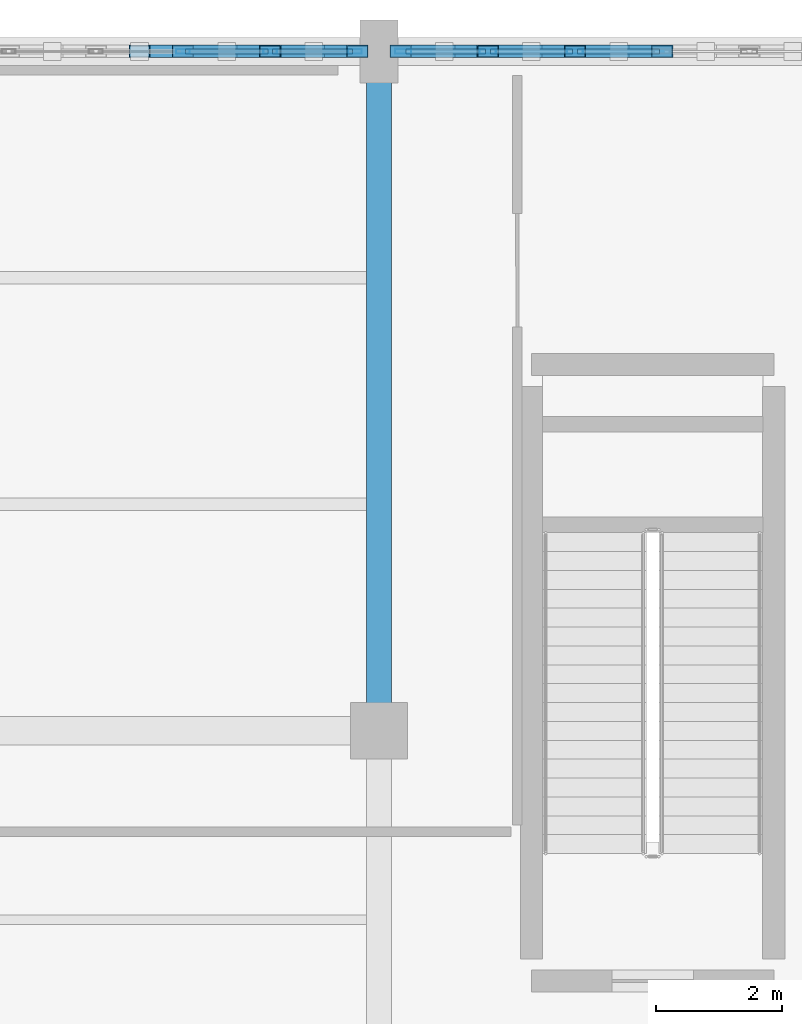
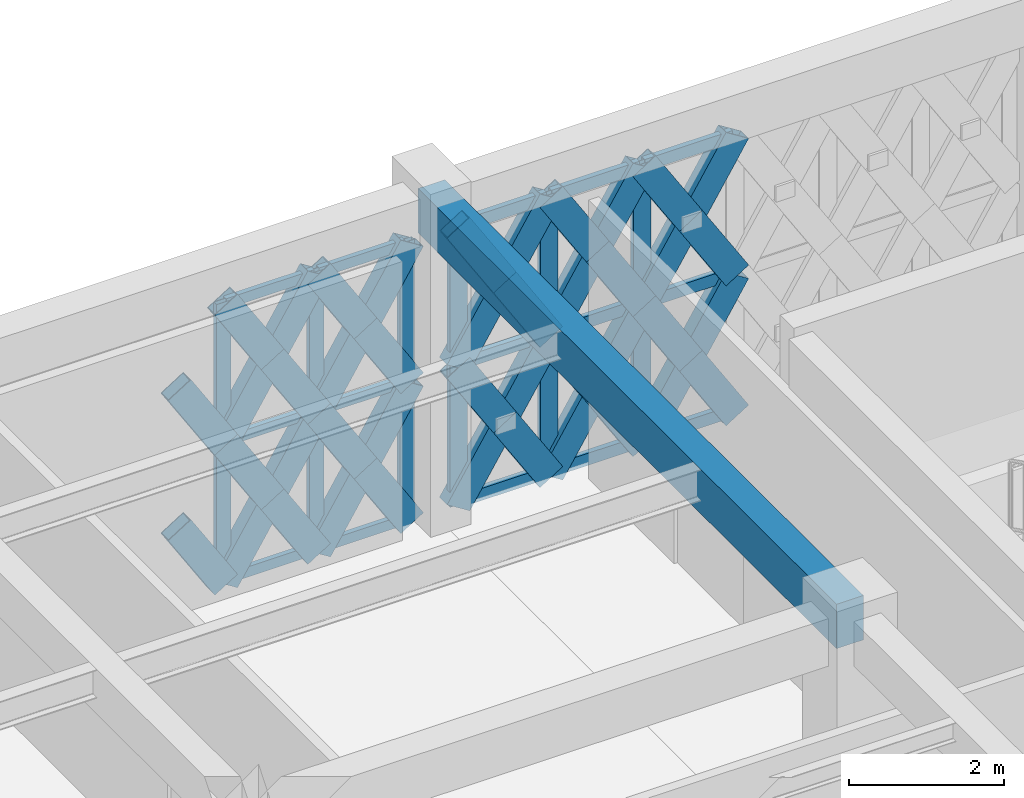
# One storey, part 90 of 155: 53 members, 1 beam, 2 elements without a shape of their own.
"""IFC4 building model written with IfcOpenShell, lengths in metres."""

from ifc_helpers import new_model, si_unit, direction, frame, origin, origin_2d, place, context, subcontext, project, spatial, rectangle, hollow_rectangle, extrude, material, material_profile, profile_set, type_object, element, aggregate, save


model = new_model("IFC4")

# Units and contexts
model_context = context("Model", 3, precision=1e-05, world=origin(), true_north=direction((0.0, 1.0)))
body_context = subcontext(model_context, "Body", "Model", "MODEL_VIEW")
ifc_project = project(units=[si_unit("LENGTHUNIT", "METRE"), si_unit("AREAUNIT", "SQUARE_METRE"), si_unit("VOLUMEUNIT", "CUBIC_METRE"), si_unit("PLANEANGLEUNIT", "RADIAN"), si_unit("MASSUNIT", "GRAM", prefix="KILO")], contexts=[model_context])

# Site, building, storey
site_placement = place(None, origin())
site = spatial("IfcSite", under=ifc_project, at=site_placement, CompositionType="ELEMENT")
building_placement = place(site_placement, origin())
building = spatial("IfcBuilding", under=site, at=building_placement, Name="Haizhuo Lancet Aquarium", CompositionType="ELEMENT")
storey_placement = place(building_placement, frame((0.0, 0.0, 10.800048828125)))
storey = spatial("IfcBuildingStorey", under=building, at=storey_placement, Name="L02", CompositionType="ELEMENT", Elevation=10.800048828125)

# Beam
ifc_material_1 = material(Name="Concrete C40/50", Category="concrete")
ifc_material_profile_1 = material_profile(ifc_material_1, rectangle(XDim=0.39990234375, YDim=0.699951171875, at=origin_2d()), Name="RC-BM 400x700")
ifc_profile_set_1 = profile_set([ifc_material_profile_1], Name="Concrete C40/50")
beam_type = type_object("IfcBeamType", Name="BM-RC-400x700", PredefinedType="BEAM", material=ifc_profile_set_1)
beam_placement = place(storey_placement, frame((9.0, 45.0, 4.81005859375), z_axis=(0.0, 1.0, 0.0), x_axis=(-1.0, 0.0, 0.0)))
element("IfcBeam", 1, at=beam_placement, inside=storey, type_object=beam_type, Name="L02 V5 primary girder BM-L02-V5-026", PredefinedType="BEAM", context=body_context, shape_type="SweptSolid", body=[
    extrude(rectangle(XDim=0.39990234375, YDim=0.699951171875, at=origin_2d()), origin(), (0.0, 0.0, 1.0), 10.800048828125),
])

# Curtain wall, members
ifc_material_2 = material(Name="Aluminium 6063-T6", Category="aluminium")
curtain_wall_type = type_object("IfcCurtainWallType", Name="CWD-8310x4410", PredefinedType="NOTDEFINED", material=ifc_material_2)
curtain_wall_1_placement = place(storey_placement, origin())
curtain_wall_1 = element("IfcCurtainWall", 2, at=curtain_wall_1_placement, inside=storey, type_object=curtain_wall_type, Name="L02 curtain wall CW-V5-L02-149", PredefinedType="NOTDEFINED")
ifc_material_profile_2 = material_profile(ifc_material_2, hollow_rectangle(XDim=0.074951171875, YDim=0.219970703125, WallThickness=0.0048828125, at=origin_2d()), Name="ALU-M 75x220x5")
ifc_profile_set_2 = profile_set([ifc_material_profile_2], Name="Aluminium 6063-T6")
member_type_1 = type_object("IfcMemberType", Name="CW-MUL-2", PredefinedType="MULLION", material=ifc_profile_set_2)
member_1_placement = place(storey_placement, frame((5.885009765625, 55.800048828125, 0.0), z_axis=(0.0, 0.0, 1.0), x_axis=(0.0, 1.0, 0.0)))
member_1 = element("IfcMember", 3, at=member_1_placement, type_object=member_type_1, Name="CWD-83x44 mullion 5", PredefinedType="MULLION", context=body_context, shape_type="SweptSolid", body=[
    extrude(hollow_rectangle(XDim=0.074951171875, YDim=0.219970703125, WallThickness=0.0048828125, at=origin_2d()), origin(), (0.0, 0.0, 1.0), 4.409912109375),
])
member_2_placement = place(storey_placement, frame((7.27001953125, 55.800048828125, 0.0), z_axis=(0.0, 0.0, 1.0), x_axis=(0.0, 1.0, 0.0)))
member_2 = element("IfcMember", 4, at=member_2_placement, type_object=member_type_1, Name="CWD-83x44 mullion 6", PredefinedType="MULLION", context=body_context, shape_type="SweptSolid", body=[
    extrude(hollow_rectangle(XDim=0.074951171875, YDim=0.219970703125, WallThickness=0.0048828125, at=origin_2d()), origin(), (0.0, 0.0, 1.0), 4.409912109375),
])
member_3_placement = place(storey_placement, frame((8.616943359375, 55.800048828125, 0.0), z_axis=(0.0, 0.0, 1.0), x_axis=(0.0, 1.0, 0.0)))
member_3 = element("IfcMember", 5, at=member_3_placement, type_object=member_type_1, Name="CWD-83x44 mullion 7", PredefinedType="MULLION", context=body_context, shape_type="SweptSolid", body=[
    extrude(hollow_rectangle(XDim=0.074951171875, YDim=0.219970703125, WallThickness=0.0048828125, at=origin_2d()), origin(), (0.0, 0.0, 1.0), 4.409912109375),
])

curtain_wall_2_placement = place(storey_placement, origin())
curtain_wall_2 = element("IfcCurtainWall", 6, at=curtain_wall_2_placement, inside=storey, type_object=curtain_wall_type, Name="L02 curtain wall CW-V5-L02-150", PredefinedType="NOTDEFINED")
ifc_material_profile_3 = material_profile(ifc_material_2, hollow_rectangle(XDim=0.080078125, YDim=0.260009765625, WallThickness=0.0048828125, at=origin_2d()), Name="ALU-M 80x260x5")
ifc_profile_set_3 = profile_set([ifc_material_profile_3], Name="Aluminium 6063-T6")
member_type_2 = type_object("IfcMemberType", Name="CW-MUL-3", PredefinedType="MULLION", material=ifc_profile_set_3)
member_4_placement = place(storey_placement, frame((9.385009765625, 55.800048828125, 0.0), z_axis=(0.0, 0.0, 1.0), x_axis=(0.0, 1.0, 0.0)))
member_4 = element("IfcMember", 7, at=member_4_placement, type_object=member_type_2, Name="CWD-83x44 mullion 1", PredefinedType="MULLION", context=body_context, shape_type="SweptSolid", body=[
    extrude(hollow_rectangle(XDim=0.080078125, YDim=0.260009765625, WallThickness=0.0048828125, at=origin_2d()), origin(), (0.0, 0.0, 1.0), 4.409912109375),
])
member_5_placement = place(storey_placement, frame((10.72998046875, 55.800048828125, 0.0), z_axis=(0.0, 0.0, 1.0), x_axis=(0.0, 1.0, 0.0)))
member_5 = element("IfcMember", 8, at=member_5_placement, type_object=member_type_2, Name="CWD-83x44 mullion 2", PredefinedType="MULLION", context=body_context, shape_type="SweptSolid", body=[
    extrude(hollow_rectangle(XDim=0.080078125, YDim=0.260009765625, WallThickness=0.0048828125, at=origin_2d()), origin(), (0.0, 0.0, 1.0), 4.409912109375),
])
member_6_placement = place(storey_placement, frame((12.114990234375, 55.800048828125, 0.0), z_axis=(0.0, 0.0, 1.0), x_axis=(0.0, 1.0, 0.0)))
member_6 = element("IfcMember", 9, at=member_6_placement, type_object=member_type_2, Name="CWD-83x44 mullion 3", PredefinedType="MULLION", context=body_context, shape_type="SweptSolid", body=[
    extrude(hollow_rectangle(XDim=0.080078125, YDim=0.260009765625, WallThickness=0.0048828125, at=origin_2d()), origin(), (0.0, 0.0, 1.0), 4.409912109375),
])

# Member
ifc_material_profile_4 = material_profile(ifc_material_2, hollow_rectangle(XDim=0.074951171875, YDim=0.159912109375, WallThickness=0.00390625, at=origin_2d()), Name="ALU-T 75x160x4")
ifc_profile_set_4 = profile_set([ifc_material_profile_4], Name="Aluminium 6063-T6")
member_type_3 = type_object("IfcMemberType", Name="CW-TRN-2", PredefinedType="NOTDEFINED", material=ifc_profile_set_4)
member_7_placement = place(storey_placement, frame((5.922119140625, 55.800048828125, 0.037841796875), z_axis=(1.0, 0.0, 0.0), x_axis=(0.0, 1.0, 0.0)))
member_7 = element("IfcMember", 10, at=member_7_placement, type_object=member_type_3, Name="CWD-83x44 transom 5.1", ObjectType="TRANSOM", PredefinedType="USERDEFINED", context=body_context, shape_type="SweptSolid", body=[
    extrude(hollow_rectangle(XDim=0.074951171875, YDim=0.159912109375, WallThickness=0.00390625, at=origin_2d()), origin(), (0.0, 0.0, 1.0), 1.309814453125),
])

member_8_placement = place(storey_placement, frame((5.922119140625, 55.800048828125, 2.204833984375), z_axis=(1.0, 0.0, 0.0), x_axis=(0.0, 1.0, 0.0)))
member_8 = element("IfcMember", 11, at=member_8_placement, type_object=member_type_3, Name="CWD-83x44 transom 5.2", ObjectType="TRANSOM", PredefinedType="USERDEFINED", context=body_context, shape_type="SweptSolid", body=[
    extrude(hollow_rectangle(XDim=0.074951171875, YDim=0.159912109375, WallThickness=0.00390625, at=origin_2d()), origin(), (0.0, 0.0, 1.0), 1.309814453125),
])

member_9_placement = place(storey_placement, frame((5.922119140625, 55.800048828125, 4.373046875), z_axis=(1.0, 0.0, 0.0), x_axis=(0.0, 1.0, 0.0)))
member_9 = element("IfcMember", 12, at=member_9_placement, type_object=member_type_3, Name="CWD-83x44 transom 5.3", ObjectType="TRANSOM", PredefinedType="USERDEFINED", context=body_context, shape_type="SweptSolid", body=[
    extrude(hollow_rectangle(XDim=0.074951171875, YDim=0.159912109375, WallThickness=0.00390625, at=origin_2d()), origin(), (0.0, 0.0, 1.0), 1.309814453125),
])

member_10_placement = place(storey_placement, frame((7.306884765625, 55.800048828125, 0.037841796875), z_axis=(1.0, 0.0, 0.0), x_axis=(0.0, 1.0, 0.0)))
member_10 = element("IfcMember", 13, at=member_10_placement, type_object=member_type_3, Name="CWD-83x44 transom 6.1", ObjectType="TRANSOM", PredefinedType="USERDEFINED", context=body_context, shape_type="SweptSolid", body=[
    extrude(hollow_rectangle(XDim=0.074951171875, YDim=0.159912109375, WallThickness=0.00390625, at=origin_2d()), origin(), (0.0, 0.0, 1.0), 1.273193359375),
])

member_11_placement = place(storey_placement, frame((7.306884765625, 55.800048828125, 2.204833984375), z_axis=(1.0, 0.0, 0.0), x_axis=(0.0, 1.0, 0.0)))
member_11 = element("IfcMember", 14, at=member_11_placement, type_object=member_type_3, Name="CWD-83x44 transom 6.2", ObjectType="TRANSOM", PredefinedType="USERDEFINED", context=body_context, shape_type="SweptSolid", body=[
    extrude(hollow_rectangle(XDim=0.074951171875, YDim=0.159912109375, WallThickness=0.00390625, at=origin_2d()), origin(), (0.0, 0.0, 1.0), 1.273193359375),
])

member_12_placement = place(storey_placement, frame((7.306884765625, 55.800048828125, 4.373046875), z_axis=(1.0, 0.0, 0.0), x_axis=(0.0, 1.0, 0.0)))
member_12 = element("IfcMember", 15, at=member_12_placement, type_object=member_type_3, Name="CWD-83x44 transom 6.3", ObjectType="TRANSOM", PredefinedType="USERDEFINED", context=body_context, shape_type="SweptSolid", body=[
    extrude(hollow_rectangle(XDim=0.074951171875, YDim=0.159912109375, WallThickness=0.00390625, at=origin_2d()), origin(), (0.0, 0.0, 1.0), 1.273193359375),
])

aggregate(curtain_wall_1, [member_1, member_2, member_3, member_7, member_8, member_9, member_10, member_11, member_12])

ifc_material_profile_5 = material_profile(ifc_material_2, hollow_rectangle(XDim=0.080078125, YDim=0.18994140625, WallThickness=0.0048828125, at=origin_2d()), Name="ALU-T 80x190x5")
ifc_profile_set_5 = profile_set([ifc_material_profile_5], Name="Aluminium 6063-T6")
member_type_4 = type_object("IfcMemberType", Name="CW-TRN-3", PredefinedType="NOTDEFINED", material=ifc_profile_set_5)
member_13_placement = place(storey_placement, frame((9.425048828125, 55.800048828125, 0.0400390625), z_axis=(1.0, 0.0, 0.0), x_axis=(0.0, 1.0, 0.0)))
member_13 = element("IfcMember", 16, at=member_13_placement, type_object=member_type_4, Name="CWD-83x44 transom 1.1", ObjectType="TRANSOM", PredefinedType="USERDEFINED", context=body_context, shape_type="SweptSolid", body=[
    extrude(hollow_rectangle(XDim=0.080078125, YDim=0.18994140625, WallThickness=0.0048828125, at=origin_2d()), origin(), (0.0, 0.0, 1.0), 1.264892578125),
])

member_14_placement = place(storey_placement, frame((9.425048828125, 55.800048828125, 2.204833984375), z_axis=(1.0, 0.0, 0.0), x_axis=(0.0, 1.0, 0.0)))
member_14 = element("IfcMember", 17, at=member_14_placement, type_object=member_type_4, Name="CWD-83x44 transom 1.2", ObjectType="TRANSOM", PredefinedType="USERDEFINED", context=body_context, shape_type="SweptSolid", body=[
    extrude(hollow_rectangle(XDim=0.080078125, YDim=0.18994140625, WallThickness=0.0048828125, at=origin_2d()), origin(), (0.0, 0.0, 1.0), 1.264892578125),
])

member_15_placement = place(storey_placement, frame((9.425048828125, 55.800048828125, 4.369873046875), z_axis=(1.0, 0.0, 0.0), x_axis=(0.0, 1.0, 0.0)))
member_15 = element("IfcMember", 18, at=member_15_placement, type_object=member_type_4, Name="CWD-83x44 transom 1.3", ObjectType="TRANSOM", PredefinedType="USERDEFINED", context=body_context, shape_type="SweptSolid", body=[
    extrude(hollow_rectangle(XDim=0.080078125, YDim=0.18994140625, WallThickness=0.0048828125, at=origin_2d()), origin(), (0.0, 0.0, 1.0), 1.264892578125),
])

member_16_placement = place(storey_placement, frame((10.77001953125, 55.800048828125, 0.0400390625), z_axis=(1.0, 0.0, 0.0), x_axis=(0.0, 1.0, 0.0)))
member_16 = element("IfcMember", 19, at=member_16_placement, type_object=member_type_4, Name="CWD-83x44 transom 2.1", ObjectType="TRANSOM", PredefinedType="USERDEFINED", context=body_context, shape_type="SweptSolid", body=[
    extrude(hollow_rectangle(XDim=0.080078125, YDim=0.18994140625, WallThickness=0.0048828125, at=origin_2d()), origin(), (0.0, 0.0, 1.0), 1.304931640625),
])

member_17_placement = place(storey_placement, frame((10.77001953125, 55.800048828125, 2.204833984375), z_axis=(1.0, 0.0, 0.0), x_axis=(0.0, 1.0, 0.0)))
member_17 = element("IfcMember", 20, at=member_17_placement, type_object=member_type_4, Name="CWD-83x44 transom 2.2", ObjectType="TRANSOM", PredefinedType="USERDEFINED", context=body_context, shape_type="SweptSolid", body=[
    extrude(hollow_rectangle(XDim=0.080078125, YDim=0.18994140625, WallThickness=0.0048828125, at=origin_2d()), origin(), (0.0, 0.0, 1.0), 1.304931640625),
])

member_18_placement = place(storey_placement, frame((10.77001953125, 55.800048828125, 4.369873046875), z_axis=(1.0, 0.0, 0.0), x_axis=(0.0, 1.0, 0.0)))
member_18 = element("IfcMember", 21, at=member_18_placement, type_object=member_type_4, Name="CWD-83x44 transom 2.3", ObjectType="TRANSOM", PredefinedType="USERDEFINED", context=body_context, shape_type="SweptSolid", body=[
    extrude(hollow_rectangle(XDim=0.080078125, YDim=0.18994140625, WallThickness=0.0048828125, at=origin_2d()), origin(), (0.0, 0.0, 1.0), 1.304931640625),
])

member_19_placement = place(storey_placement, frame((12.155029296875, 55.800048828125, 0.0400390625), z_axis=(1.0, 0.0, 0.0), x_axis=(0.0, 1.0, 0.0)))
member_19 = element("IfcMember", 22, at=member_19_placement, type_object=member_type_4, Name="CWD-83x44 transom 3.1", ObjectType="TRANSOM", PredefinedType="USERDEFINED", context=body_context, shape_type="SweptSolid", body=[
    extrude(hollow_rectangle(XDim=0.080078125, YDim=0.18994140625, WallThickness=0.0048828125, at=origin_2d()), origin(), (0.0, 0.0, 1.0), 1.304931640625),
])

member_20_placement = place(storey_placement, frame((12.155029296875, 55.800048828125, 2.204833984375), z_axis=(1.0, 0.0, 0.0), x_axis=(0.0, 1.0, 0.0)))
member_20 = element("IfcMember", 23, at=member_20_placement, type_object=member_type_4, Name="CWD-83x44 transom 3.2", ObjectType="TRANSOM", PredefinedType="USERDEFINED", context=body_context, shape_type="SweptSolid", body=[
    extrude(hollow_rectangle(XDim=0.080078125, YDim=0.18994140625, WallThickness=0.0048828125, at=origin_2d()), origin(), (0.0, 0.0, 1.0), 1.304931640625),
])

member_21_placement = place(storey_placement, frame((12.155029296875, 55.800048828125, 4.369873046875), z_axis=(1.0, 0.0, 0.0), x_axis=(0.0, 1.0, 0.0)))
member_21 = element("IfcMember", 24, at=member_21_placement, type_object=member_type_4, Name="CWD-83x44 transom 3.3", ObjectType="TRANSOM", PredefinedType="USERDEFINED", context=body_context, shape_type="SweptSolid", body=[
    extrude(hollow_rectangle(XDim=0.080078125, YDim=0.18994140625, WallThickness=0.0048828125, at=origin_2d()), origin(), (0.0, 0.0, 1.0), 1.304931640625),
])

aggregate(curtain_wall_2, [member_4, member_5, member_6, member_13, member_14, member_15, member_16, member_17, member_18, member_19, member_20, member_21])

# Members
ifc_material_3 = material(Name="Steel S355", Category="steel")
ifc_material_profile_6 = material_profile(ifc_material_3, hollow_rectangle(XDim=0.199951171875, YDim=0.39990234375, WallThickness=0.011962890625, at=origin_2d()), Name="RHS 200x400x12")
ifc_profile_set_6 = profile_set([ifc_material_profile_6], Name="Steel S355")
member_type_5 = type_object("IfcMemberType", Name="MEM-LB-RHS200x400", PredefinedType="BRACE", material=ifc_profile_set_6)
member_22_placement = place(storey_placement, frame((5.885009765625, 55.800048828125, 0.0), z_axis=(-0.532390437474, 0.0, 0.84649892031), x_axis=(0.0, -1.0, 0.0)))
element("IfcMember", 25, at=member_22_placement, inside=storey, type_object=member_type_5, Name="Gothic lancet split diagonal brace CW-V5-L02-149 7B1", PredefinedType="BRACE", context=body_context, shape_type="SweptSolid", body=[
    extrude(hollow_rectangle(XDim=0.199951171875, YDim=0.39990234375, WallThickness=0.011962890625, at=origin_2d()), origin(), (0.0, 0.0, 1.0), 1.302001953125),
])
member_23_placement = place(storey_placement, frame((5.885009765625, 55.800048828125, 2.204833984375), z_axis=(-0.532052559181, 0.0, 0.846711328771), x_axis=(0.0, -1.0, 0.0)))
element("IfcMember", 26, at=member_23_placement, inside=storey, type_object=member_type_5, Name="Gothic lancet split diagonal brace CW-V5-L02-149 8B1", PredefinedType="BRACE", context=body_context, shape_type="SweptSolid", body=[
    extrude(hollow_rectangle(XDim=0.199951171875, YDim=0.39990234375, WallThickness=0.011962890625, at=origin_2d()), origin(), (0.0, 0.0, 1.0), 1.302734375),
])
member_24_placement = place(storey_placement, frame((5.885009765625, 55.800048828125, 0.0), z_axis=(0.531927646905, 0.0, 0.84678980772), x_axis=(0.0, 1.0, 0.0)))
element("IfcMember", 27, at=member_24_placement, inside=storey, type_object=member_type_5, Name="Gothic lancet continuous diagonal brace CW-V5-L02-149 9A", PredefinedType="BRACE", context=body_context, shape_type="SweptSolid", body=[
    extrude(hollow_rectangle(XDim=0.199951171875, YDim=0.39990234375, WallThickness=0.011962890625, at=origin_2d()), origin(), (0.0, 0.0, 1.0), 2.603759765625),
])
member_25_placement = place(storey_placement, frame((7.27001953125, 55.800048828125, 0.0), z_axis=(-0.532390437474, 0.0, 0.84649892031), x_axis=(0.0, -1.0, 0.0)))
element("IfcMember", 28, at=member_25_placement, inside=storey, type_object=member_type_5, Name="Gothic lancet split diagonal brace CW-V5-L02-149 9B1", PredefinedType="BRACE", context=body_context, shape_type="SweptSolid", body=[
    extrude(hollow_rectangle(XDim=0.199951171875, YDim=0.39990234375, WallThickness=0.011962890625, at=origin_2d()), origin(), (0.0, 0.0, 1.0), 1.302001953125),
])
member_26_placement = place(storey_placement, frame((6.576904296875, 55.800048828125, 1.10205078125), z_axis=(-0.531464687043, 0.0, 0.847080448615), x_axis=(0.0, -1.0, 0.0)))
element("IfcMember", 29, at=member_26_placement, inside=storey, type_object=member_type_5, Name="Gothic lancet split diagonal brace CW-V5-L02-149 9B2", PredefinedType="BRACE", context=body_context, shape_type="SweptSolid", body=[
    extrude(hollow_rectangle(XDim=0.199951171875, YDim=0.39990234375, WallThickness=0.011962890625, at=origin_2d()), origin(), (0.0, 0.0, 1.0), 1.3017578125),
])
member_27_placement = place(storey_placement, frame((5.885009765625, 55.800048828125, 2.204833984375), z_axis=(0.531885415037, 0.0, 0.846816335028), x_axis=(0.0, 1.0, 0.0)))
element("IfcMember", 30, at=member_27_placement, inside=storey, type_object=member_type_5, Name="Gothic lancet continuous diagonal brace CW-V5-L02-149 10A", PredefinedType="BRACE", context=body_context, shape_type="SweptSolid", body=[
    extrude(hollow_rectangle(XDim=0.199951171875, YDim=0.39990234375, WallThickness=0.011962890625, at=origin_2d()), origin(), (0.0, 0.0, 1.0), 2.60400390625),
])
member_28_placement = place(storey_placement, frame((7.27001953125, 55.800048828125, 2.204833984375), z_axis=(-0.532052559181, 0.0, 0.846711328771), x_axis=(0.0, -1.0, 0.0)))
element("IfcMember", 31, at=member_28_placement, inside=storey, type_object=member_type_5, Name="Gothic lancet split diagonal brace CW-V5-L02-149 10B1", PredefinedType="BRACE", context=body_context, shape_type="SweptSolid", body=[
    extrude(hollow_rectangle(XDim=0.199951171875, YDim=0.39990234375, WallThickness=0.011962890625, at=origin_2d()), origin(), (0.0, 0.0, 1.0), 1.302734375),
])
member_29_placement = place(storey_placement, frame((6.576904296875, 55.800048828125, 3.307861328125), z_axis=(-0.531718060511, 0.0, 0.846921427363), x_axis=(0.0, -1.0, 0.0)))
element("IfcMember", 32, at=member_29_placement, inside=storey, type_object=member_type_5, Name="Gothic lancet split diagonal brace CW-V5-L02-149 10B2", PredefinedType="BRACE", context=body_context, shape_type="SweptSolid", body=[
    extrude(hollow_rectangle(XDim=0.199951171875, YDim=0.39990234375, WallThickness=0.011962890625, at=origin_2d()), origin(), (0.0, 0.0, 1.0), 1.30126953125),
])
member_30_placement = place(storey_placement, frame((7.27001953125, 55.800048828125, 0.0), z_axis=(0.531927646905, 0.0, 0.84678980772), x_axis=(0.0, 1.0, 0.0)))
element("IfcMember", 33, at=member_30_placement, inside=storey, type_object=member_type_5, Name="Gothic lancet continuous diagonal brace CW-V5-L02-149 11A", PredefinedType="BRACE", context=body_context, shape_type="SweptSolid", body=[
    extrude(hollow_rectangle(XDim=0.199951171875, YDim=0.39990234375, WallThickness=0.011962890625, at=origin_2d()), origin(), (0.0, 0.0, 1.0), 2.603759765625),
])
member_31_placement = place(storey_placement, frame((8.655029296875, 55.800048828125, 0.0), z_axis=(-0.532390437474, 0.0, 0.84649892031), x_axis=(0.0, -1.0, 0.0)))
element("IfcMember", 34, at=member_31_placement, inside=storey, type_object=member_type_5, Name="Gothic lancet split diagonal brace CW-V5-L02-149 11B1", PredefinedType="BRACE", context=body_context, shape_type="SweptSolid", body=[
    extrude(hollow_rectangle(XDim=0.199951171875, YDim=0.39990234375, WallThickness=0.011962890625, at=origin_2d()), origin(), (0.0, 0.0, 1.0), 1.302001953125),
])
member_32_placement = place(storey_placement, frame((7.9619140625, 55.800048828125, 1.10205078125), z_axis=(-0.531464687043, 0.0, 0.847080448615), x_axis=(0.0, -1.0, 0.0)))
element("IfcMember", 35, at=member_32_placement, inside=storey, type_object=member_type_5, Name="Gothic lancet split diagonal brace CW-V5-L02-149 11B2", PredefinedType="BRACE", context=body_context, shape_type="SweptSolid", body=[
    extrude(hollow_rectangle(XDim=0.199951171875, YDim=0.39990234375, WallThickness=0.011962890625, at=origin_2d()), origin(), (0.0, 0.0, 1.0), 1.3017578125),
])
member_33_placement = place(storey_placement, frame((7.27001953125, 55.800048828125, 2.204833984375), z_axis=(0.531885415037, 0.0, 0.846816335028), x_axis=(0.0, 1.0, 0.0)))
element("IfcMember", 36, at=member_33_placement, inside=storey, type_object=member_type_5, Name="Gothic lancet continuous diagonal brace CW-V5-L02-149 12A", PredefinedType="BRACE", context=body_context, shape_type="SweptSolid", body=[
    extrude(hollow_rectangle(XDim=0.199951171875, YDim=0.39990234375, WallThickness=0.011962890625, at=origin_2d()), origin(), (0.0, 0.0, 1.0), 2.60400390625),
])
member_34_placement = place(storey_placement, frame((8.655029296875, 55.800048828125, 2.204833984375), z_axis=(-0.532052559181, 0.0, 0.846711328771), x_axis=(0.0, -1.0, 0.0)))
element("IfcMember", 37, at=member_34_placement, inside=storey, type_object=member_type_5, Name="Gothic lancet split diagonal brace CW-V5-L02-149 12B1", PredefinedType="BRACE", context=body_context, shape_type="SweptSolid", body=[
    extrude(hollow_rectangle(XDim=0.199951171875, YDim=0.39990234375, WallThickness=0.011962890625, at=origin_2d()), origin(), (0.0, 0.0, 1.0), 1.302734375),
])
member_35_placement = place(storey_placement, frame((7.9619140625, 55.800048828125, 3.307861328125), z_axis=(-0.531718060511, 0.0, 0.846921427363), x_axis=(0.0, -1.0, 0.0)))
element("IfcMember", 38, at=member_35_placement, inside=storey, type_object=member_type_5, Name="Gothic lancet split diagonal brace CW-V5-L02-149 12B2", PredefinedType="BRACE", context=body_context, shape_type="SweptSolid", body=[
    extrude(hollow_rectangle(XDim=0.199951171875, YDim=0.39990234375, WallThickness=0.011962890625, at=origin_2d()), origin(), (0.0, 0.0, 1.0), 1.30126953125),
])
member_36_placement = place(storey_placement, frame((9.344970703125, 55.800048828125, 0.0), z_axis=(0.531927646905, 0.0, 0.84678980772), x_axis=(0.0, 1.0, 0.0)))
element("IfcMember", 39, at=member_36_placement, inside=storey, type_object=member_type_5, Name="Gothic lancet continuous diagonal brace CW-V5-L02-150 1A", PredefinedType="BRACE", context=body_context, shape_type="SweptSolid", body=[
    extrude(hollow_rectangle(XDim=0.199951171875, YDim=0.39990234375, WallThickness=0.011962890625, at=origin_2d()), origin(), (0.0, 0.0, 1.0), 2.603759765625),
])
member_37_placement = place(storey_placement, frame((10.72998046875, 55.800048828125, 0.0), z_axis=(-0.531718060511, 0.0, 0.846921427363), x_axis=(0.0, -1.0, 0.0)))
element("IfcMember", 40, at=member_37_placement, inside=storey, type_object=member_type_5, Name="Gothic lancet split diagonal brace CW-V5-L02-150 1B1", PredefinedType="BRACE", context=body_context, shape_type="SweptSolid", body=[
    extrude(hollow_rectangle(XDim=0.199951171875, YDim=0.39990234375, WallThickness=0.011962890625, at=origin_2d()), origin(), (0.0, 0.0, 1.0), 1.30126953125),
])
member_38_placement = place(storey_placement, frame((10.0380859375, 55.800048828125, 1.10205078125), z_axis=(-0.532136996486, 0.0, 0.846658264574), x_axis=(0.0, -1.0, 0.0)))
element("IfcMember", 41, at=member_38_placement, inside=storey, type_object=member_type_5, Name="Gothic lancet split diagonal brace CW-V5-L02-150 1B2", PredefinedType="BRACE", context=body_context, shape_type="SweptSolid", body=[
    extrude(hollow_rectangle(XDim=0.199951171875, YDim=0.39990234375, WallThickness=0.011962890625, at=origin_2d()), origin(), (0.0, 0.0, 1.0), 1.302490234375),
])
member_39_placement = place(storey_placement, frame((9.344970703125, 55.800048828125, 2.204833984375), z_axis=(0.531885415037, 0.0, 0.846816335028), x_axis=(0.0, 1.0, 0.0)))
element("IfcMember", 42, at=member_39_placement, inside=storey, type_object=member_type_5, Name="Gothic lancet continuous diagonal brace CW-V5-L02-150 2A", PredefinedType="BRACE", context=body_context, shape_type="SweptSolid", body=[
    extrude(hollow_rectangle(XDim=0.199951171875, YDim=0.39990234375, WallThickness=0.011962890625, at=origin_2d()), origin(), (0.0, 0.0, 1.0), 2.60400390625),
])
for number, where, z_axis, x_axis, name in (
    (43, (10.72998046875, 55.800048828125, 2.204833984375), (-0.531380272315, 0.0, 0.847133405193), (0.0, -1.0, 0.0), "Gothic lancet split diagonal brace CW-V5-L02-150 2B1"),
    (44, (10.0380859375, 55.800048828125, 3.307861328125), (-0.532390437474, 0.0, 0.84649892031), (0.0, -1.0, 0.0), "Gothic lancet split diagonal brace CW-V5-L02-150 2B2"),
):
    element("IfcMember", number, at=place(storey_placement, frame(where, z_axis=z_axis, x_axis=x_axis)), inside=storey, type_object=member_type_5, Name=name, PredefinedType="BRACE", context=body_context, shape_type="SweptSolid", body=[
        extrude(hollow_rectangle(XDim=0.199951171875, YDim=0.39990234375, WallThickness=0.011962890625, at=origin_2d()), origin(), (0.0, 0.0, 1.0), 1.302001953125),
    ])
member_40_placement = place(storey_placement, frame((10.72998046875, 55.800048828125, 0.0), z_axis=(0.531927646905, 0.0, 0.84678980772), x_axis=(0.0, 1.0, 0.0)))
element("IfcMember", 45, at=member_40_placement, inside=storey, type_object=member_type_5, Name="Gothic lancet continuous diagonal brace CW-V5-L02-150 3A", PredefinedType="BRACE", context=body_context, shape_type="SweptSolid", body=[
    extrude(hollow_rectangle(XDim=0.199951171875, YDim=0.39990234375, WallThickness=0.011962890625, at=origin_2d()), origin(), (0.0, 0.0, 1.0), 2.603759765625),
])
member_41_placement = place(storey_placement, frame((12.114990234375, 55.800048828125, 0.0), z_axis=(-0.532256042599, 0.0, 0.846583430689), x_axis=(0.0, -1.0, 0.0)))
element("IfcMember", 46, at=member_41_placement, inside=storey, type_object=member_type_5, Name="Gothic lancet split diagonal brace CW-V5-L02-150 3B1", PredefinedType="BRACE", context=body_context, shape_type="SweptSolid", body=[
    extrude(hollow_rectangle(XDim=0.199951171875, YDim=0.39990234375, WallThickness=0.011962890625, at=origin_2d()), origin(), (0.0, 0.0, 1.0), 1.3017578125),
])
member_42_placement = place(storey_placement, frame((11.422119140625, 55.800048828125, 1.10205078125), z_axis=(-0.531599229377, 0.0, 0.846996020844), x_axis=(0.0, -1.0, 0.0)))
element("IfcMember", 47, at=member_42_placement, inside=storey, type_object=member_type_5, Name="Gothic lancet split diagonal brace CW-V5-L02-150 3B2", PredefinedType="BRACE", context=body_context, shape_type="SweptSolid", body=[
    extrude(hollow_rectangle(XDim=0.199951171875, YDim=0.39990234375, WallThickness=0.011962890625, at=origin_2d()), origin(), (0.0, 0.0, 1.0), 1.302001953125),
])
member_43_placement = place(storey_placement, frame((10.72998046875, 55.800048828125, 2.204833984375), z_axis=(0.531885415037, 0.0, 0.846816335028), x_axis=(0.0, 1.0, 0.0)))
element("IfcMember", 48, at=member_43_placement, inside=storey, type_object=member_type_5, Name="Gothic lancet continuous diagonal brace CW-V5-L02-150 4A", PredefinedType="BRACE", context=body_context, shape_type="SweptSolid", body=[
    extrude(hollow_rectangle(XDim=0.199951171875, YDim=0.39990234375, WallThickness=0.011962890625, at=origin_2d()), origin(), (0.0, 0.0, 1.0), 2.60400390625),
])
member_44_placement = place(storey_placement, frame((12.114990234375, 55.800048828125, 2.204833984375), z_axis=(-0.531918182213, 0.0, 0.846795753078), x_axis=(0.0, -1.0, 0.0)))
element("IfcMember", 49, at=member_44_placement, inside=storey, type_object=member_type_5, Name="Gothic lancet split diagonal brace CW-V5-L02-150 4B1", PredefinedType="BRACE", context=body_context, shape_type="SweptSolid", body=[
    extrude(hollow_rectangle(XDim=0.199951171875, YDim=0.39990234375, WallThickness=0.011962890625, at=origin_2d()), origin(), (0.0, 0.0, 1.0), 1.302490234375),
])
member_45_placement = place(storey_placement, frame((11.422119140625, 55.800048828125, 3.307861328125), z_axis=(-0.531852616433, 0.0, 0.846836934949), x_axis=(0.0, -1.0, 0.0)))
element("IfcMember", 50, at=member_45_placement, inside=storey, type_object=member_type_5, Name="Gothic lancet split diagonal brace CW-V5-L02-150 4B2", PredefinedType="BRACE", context=body_context, shape_type="SweptSolid", body=[
    extrude(hollow_rectangle(XDim=0.199951171875, YDim=0.39990234375, WallThickness=0.011962890625, at=origin_2d()), origin(), (0.0, 0.0, 1.0), 1.30126953125),
])
member_46_placement = place(storey_placement, frame((12.114990234375, 55.800048828125, 0.0), z_axis=(0.531927646905, 0.0, 0.84678980772), x_axis=(0.0, 1.0, 0.0)))
element("IfcMember", 51, at=member_46_placement, inside=storey, type_object=member_type_5, Name="Gothic lancet continuous diagonal brace CW-V5-L02-150 5A", PredefinedType="BRACE", context=body_context, shape_type="SweptSolid", body=[
    extrude(hollow_rectangle(XDim=0.199951171875, YDim=0.39990234375, WallThickness=0.011962890625, at=origin_2d()), origin(), (0.0, 0.0, 1.0), 2.603759765625),
])
member_47_placement = place(storey_placement, frame((13.5, 55.800048828125, 0.0), z_axis=(-0.531718060511, 0.0, 0.846921427363), x_axis=(0.0, -1.0, 0.0)))
element("IfcMember", 52, at=member_47_placement, inside=storey, type_object=member_type_5, Name="Gothic lancet split diagonal brace CW-V5-L02-150 5B1", PredefinedType="BRACE", context=body_context, shape_type="SweptSolid", body=[
    extrude(hollow_rectangle(XDim=0.199951171875, YDim=0.39990234375, WallThickness=0.011962890625, at=origin_2d()), origin(), (0.0, 0.0, 1.0), 1.30126953125),
])
member_48_placement = place(storey_placement, frame((12.80810546875, 55.800048828125, 1.10205078125), z_axis=(-0.532136996486, 0.0, 0.846658264574), x_axis=(0.0, -1.0, 0.0)))
element("IfcMember", 53, at=member_48_placement, inside=storey, type_object=member_type_5, Name="Gothic lancet split diagonal brace CW-V5-L02-150 5B2", PredefinedType="BRACE", context=body_context, shape_type="SweptSolid", body=[
    extrude(hollow_rectangle(XDim=0.199951171875, YDim=0.39990234375, WallThickness=0.011962890625, at=origin_2d()), origin(), (0.0, 0.0, 1.0), 1.302490234375),
])
member_49_placement = place(storey_placement, frame((12.114990234375, 55.800048828125, 2.204833984375), z_axis=(0.531885415037, 0.0, 0.846816335028), x_axis=(0.0, 1.0, 0.0)))
element("IfcMember", 54, at=member_49_placement, inside=storey, type_object=member_type_5, Name="Gothic lancet continuous diagonal brace CW-V5-L02-150 6A", PredefinedType="BRACE", context=body_context, shape_type="SweptSolid", body=[
    extrude(hollow_rectangle(XDim=0.199951171875, YDim=0.39990234375, WallThickness=0.011962890625, at=origin_2d()), origin(), (0.0, 0.0, 1.0), 2.60400390625),
])
for number, where, z_axis, x_axis, name in (
    (55, (13.5, 55.800048828125, 2.204833984375), (-0.531380272315, 0.0, 0.847133405193), (0.0, -1.0, 0.0), "Gothic lancet split diagonal brace CW-V5-L02-150 6B1"),
    (56, (12.80810546875, 55.800048828125, 3.307861328125), (-0.532390437474, 0.0, 0.84649892031), (0.0, -1.0, 0.0), "Gothic lancet split diagonal brace CW-V5-L02-150 6B2"),
):
    element("IfcMember", number, at=place(storey_placement, frame(where, z_axis=z_axis, x_axis=x_axis)), inside=storey, type_object=member_type_5, Name=name, PredefinedType="BRACE", context=body_context, shape_type="SweptSolid", body=[
        extrude(hollow_rectangle(XDim=0.199951171875, YDim=0.39990234375, WallThickness=0.011962890625, at=origin_2d()), origin(), (0.0, 0.0, 1.0), 1.302001953125),
    ])

save(model, "model.ifc")
